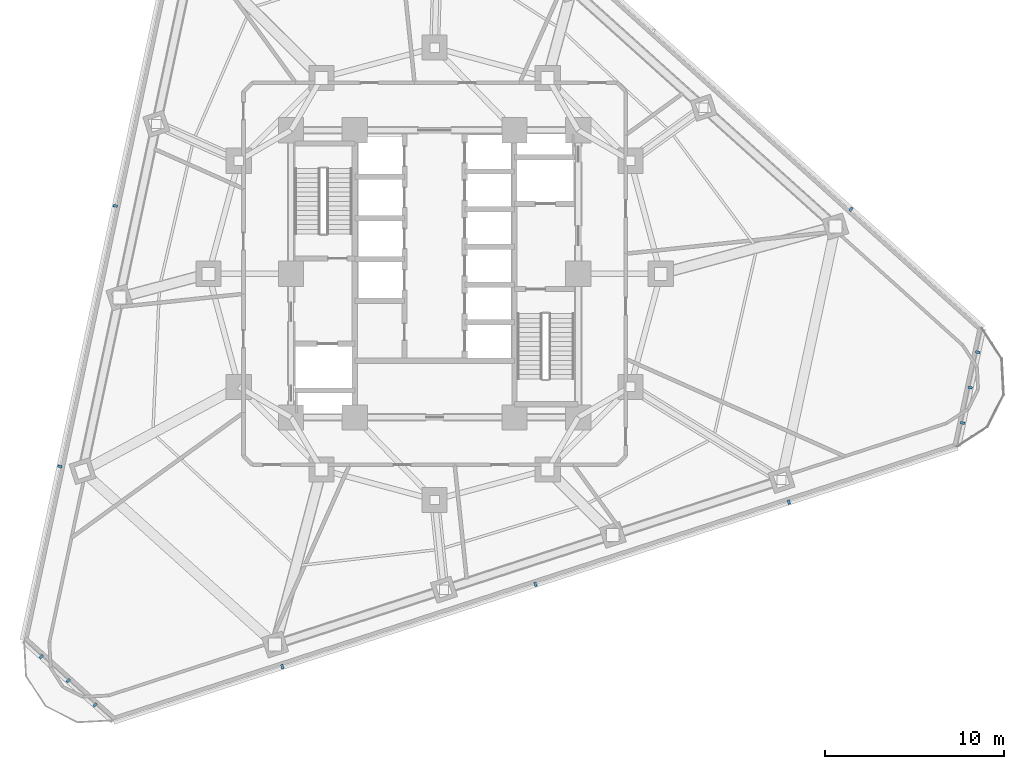
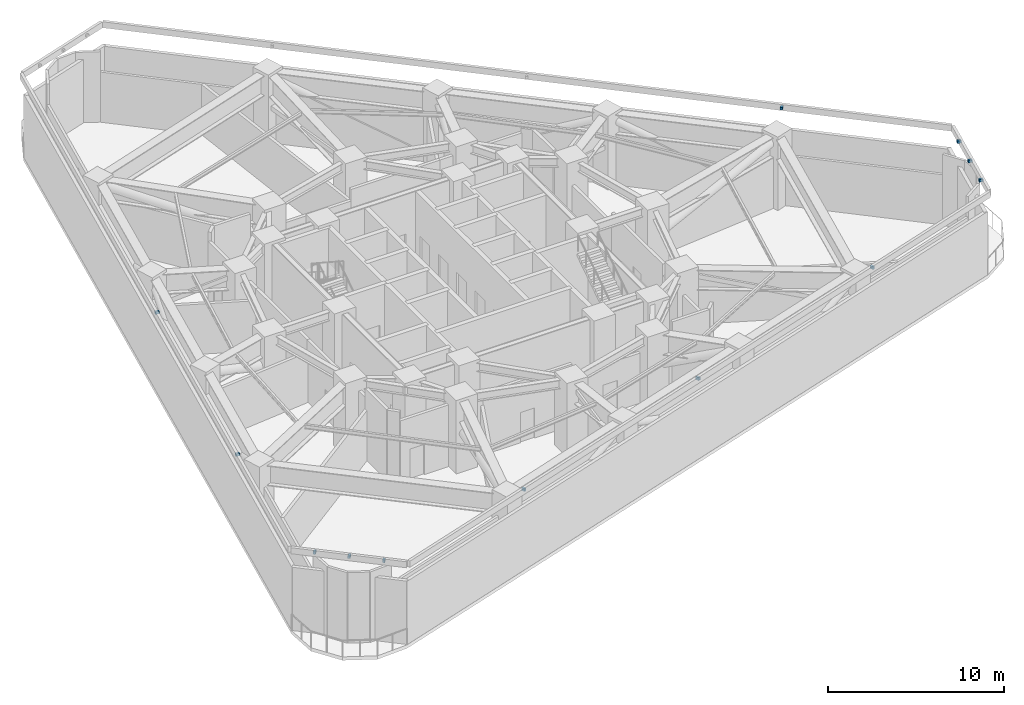
# One storey, part 6 of 10: 12 discrete accessories.
"""IFC4 building model written with IfcOpenShell, lengths in metres."""

from ifc_helpers import new_model, si_unit, direction, frame, origin, origin_2d, place, context, subcontext, project, spatial, rectangle, extrude, material, type_object, element, save


model = new_model("IFC4")

# Units and contexts
model_context = context("Model", 3, precision=1e-05, world=origin(), true_north=direction((0.0, 1.0)))
body_context = subcontext(model_context, "Body", "Model", "MODEL_VIEW")
ifc_project = project(units=[si_unit("LENGTHUNIT", "METRE"), si_unit("AREAUNIT", "SQUARE_METRE"), si_unit("VOLUMEUNIT", "CUBIC_METRE"), si_unit("PLANEANGLEUNIT", "RADIAN"), si_unit("MASSUNIT", "GRAM", prefix="KILO")], contexts=[model_context])

# Site, building, storey
site_placement = place(None, origin())
site = spatial("IfcSite", under=ifc_project, at=site_placement, CompositionType="ELEMENT")
building_placement = place(site_placement, origin())
building = spatial("IfcBuilding", under=site, at=building_placement, Name="Terralouvre Media Tower", CompositionType="ELEMENT")
storey_placement = place(building_placement, frame((0.0, 0.0, 85.199951171875)))
storey = spatial("IfcBuildingStorey", under=building, at=storey_placement, Name="L21", CompositionType="ELEMENT", Elevation=85.199951171875)

# Discrete accessories
ifc_material = material(Name="Anodised extruded aluminium 6063-T6", Category="aluminium")
discrete_accessory_type = type_object("IfcDiscreteAccessoryType", Name="Mullion Stand-Off Baguette Fixing Bracket BK-01", PredefinedType="BRACKET", material=ifc_material)
for number, where, z_axis, x_axis, name in (
    (1, (-8.484375, -21.885009765625, 5.60595703125), (0.0, 0.0, 1.0), (0.951056509451, 0.309017015439, 0.0), "CW-L21-F0 Louvre Bracket 01"),
    (2, (5.62158203125, -17.3017578125, 5.60595703125), (0.0, 0.0, 1.0), (0.951056509451, 0.309017015439, 0.0), "CW-L21-F0 Louvre Bracket 02"),
    (3, (19.727783203125, -12.71826171875, 5.60595703125), (0.0, 0.0, 1.0), (0.951056509451, 0.309017015439, 0.0), "CW-L21-F0 Louvre Bracket 03"),
    (4, (23.1953125, 3.5947265625, 5.60595703125), (0.0, 0.0, 1.0), (-0.743144795545, 0.669130639602, 0.0), "CW-L21-F1 Louvre Bracket 01"),
    (5, (-17.794677734375, 3.782470703125, 5.60595703125), (0.0, 0.0, 1.0), (-0.207911643887, -0.978147610709, 0.0), "CW-L21-F2 Louvre Bracket 02"),
    (6, (-20.87841796875, -10.7255859375, 5.60595703125), (0.0, 0.0, 1.0), (-0.207911643887, -0.978147610709, 0.0), "CW-L21-F2 Louvre Bracket 03"),
    (7, (-21.90966796875, -21.320068359375, 5.60595703125), (0.0, 0.0, 1.0), (0.743144668471, -0.669130780732, 0.0), "CW-L21-C0 Louvre Bracket 01"),
    (8, (-20.411376953125, -22.6689453125, 5.60595703125), (0.0, 0.0, 1.0), (0.743144668471, -0.669130780732, 0.0), "CW-L21-C0 Louvre Bracket 02"),
    (9, (-18.9130859375, -24.01806640625, 5.60595703125), (0.0, 0.0, 1.0), (0.743144668471, -0.669130780732, 0.0), "CW-L21-C0 Louvre Bracket 03"),
    (10, (29.41845703125, -8.314208984375, 5.60595703125), (0.0, 0.0, 1.0), (0.207911611348, 0.978147617626, 0.0), "CW-L21-C1 Louvre Bracket 01"),
    (11, (29.837646484375, -6.34228515625, 5.60595703125), (0.0, 0.0, 1.0), (0.207911611348, 0.978147617626, 0.0), "CW-L21-C1 Louvre Bracket 02"),
    (12, (30.2568359375, -4.3701171875, 5.60595703125), (0.0, 0.0, 1.0), (0.207911611348, 0.978147617626, 0.0), "CW-L21-C1 Louvre Bracket 03"),
):
    element("IfcDiscreteAccessory", number, at=place(storey_placement, frame(where, z_axis=z_axis, x_axis=x_axis)), inside=storey, type_object=discrete_accessory_type, Name=name, PredefinedType="BRACKET", context=body_context, shape_type="SweptSolid", body=[
        extrude(rectangle(XDim=0.139892578125, YDim=0.239990234375, at=origin_2d()), origin(), (0.0, 0.0, 1.0), 0.179931640625),
    ])

save(model, "model.ifc")
